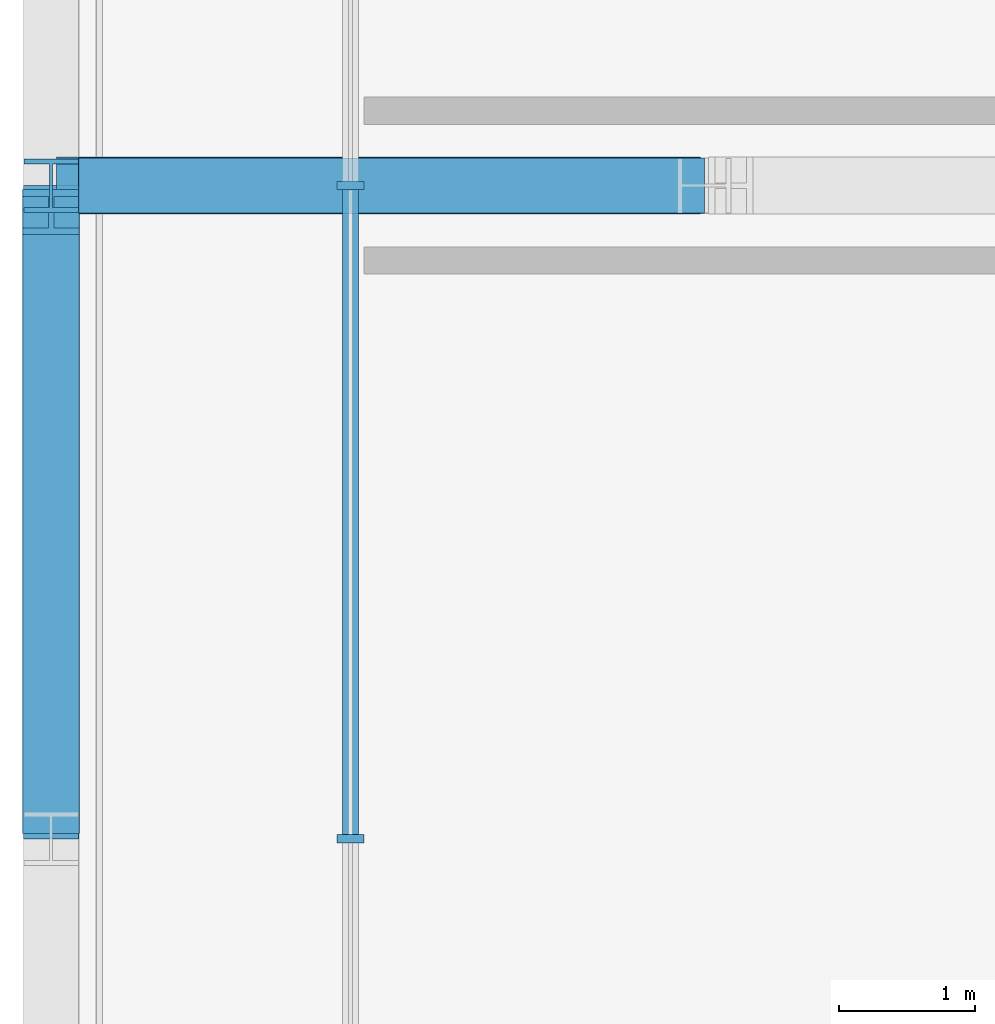
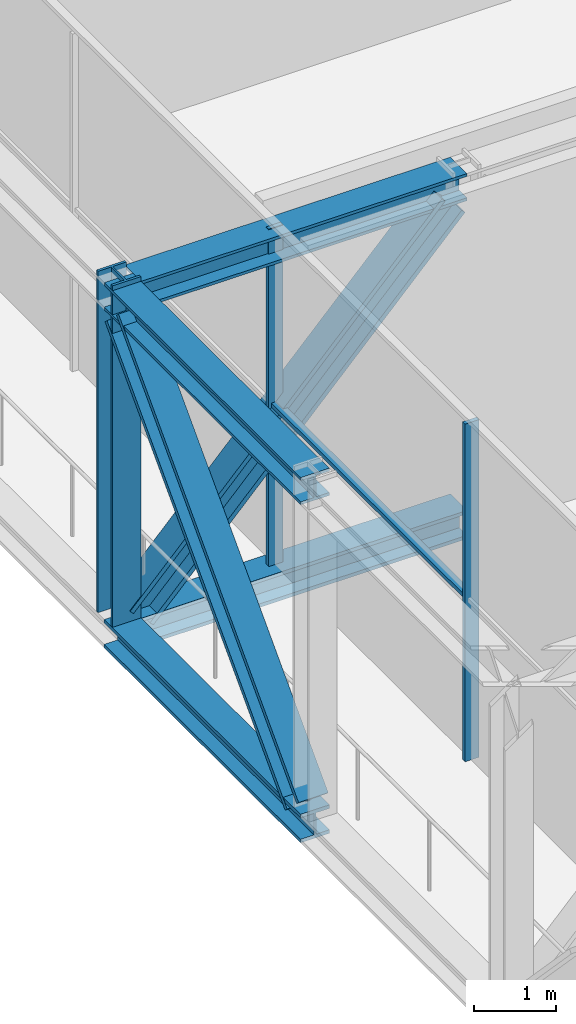
# One storey, part 4 of 26: 10 members, 1 element without a shape of its own.
"""IFC4 building model written with IfcOpenShell, lengths in metres."""

import ifcopenshell
import ifcopenshell.guid

model = None  # the IFC model being written
_history = None  # IfcOwnerHistory: only IFC2X3 demands one
_inside = {}  # id of a spatial element -> (the spatial element, [elements in it])
_under = {}  # id of a project, library or spatial element -> (it, [spatial elements below it])
_declared = {}  # id of a project -> (the project, [libraries it declares])
_typed = {}  # id of a type object -> (the type object, [elements of that type])
_made_of = {}  # id of a material, layer set ... -> (it, [elements and type objects made of it])


def new_model(schema):
    """Start an empty IFC model of exactly this schema.

    Asked for "IFC4X3", IfcOpenShell would pick the latest addendum, in which some entities
    have other attributes; the version numbers below select the first issue.
    IFC2X3 requires an IfcOwnerHistory on every rooted entity: one is made here for all.
    """
    global model, _history
    if schema == "IFC4X3":
        model = ifcopenshell.file(schema_version=(4, 3, 0, 0))
    else:
        model = ifcopenshell.file(schema=schema)
    _inside.clear()
    _under.clear()
    _declared.clear()
    _typed.clear()
    _made_of.clear()
    _history = None
    if model.schema == "IFC2X3":
        org = make("IfcOrganization", Name="unknown")
        user = make(
            "IfcPersonAndOrganization",
            ThePerson=make("IfcPerson", FamilyName="unknown"),
            TheOrganization=org,
        )
        app = make(
            "IfcApplication",
            ApplicationDeveloper=org,
            Version="unknown",
            ApplicationFullName="unknown",
            ApplicationIdentifier="unknown",
        )
        _history = make(
            "IfcOwnerHistory",
            OwningUser=user,
            OwningApplication=app,
            ChangeAction="ADDED",
            CreationDate=0,
        )
    return model


def make(cls, **values):
    """One entity of the class cls with the attributes given. An attribute that is None is left unset."""
    return model.create_entity(
        cls, **{name: value for name, value in values.items() if value is not None}
    )


def rooted(cls, **values):
    """An entity with a GlobalId (a new one), such as an element, a storey or a relation."""
    return make(cls, GlobalId=ifcopenshell.guid.new(), OwnerHistory=_history, **values)


def si_unit(unit_type, name, prefix=None):
    """IfcSIUnit, for example si_unit("LENGTHUNIT", "METRE", prefix="MILLI")."""
    return make("IfcSIUnit", UnitType=unit_type, Prefix=prefix, Name=name)


def assignment(units):
    """IfcUnitAssignment: the units of a project."""
    return None if units is None else make("IfcUnitAssignment", Units=units)


def point(xyz):
    """IfcCartesianPoint."""
    return None if xyz is None else make("IfcCartesianPoint", Coordinates=xyz)


def direction(xyz):
    """IfcDirection."""
    return None if xyz is None else make("IfcDirection", DirectionRatios=xyz)


def frame(location, z_axis=None, x_axis=None):
    """IfcAxis2Placement3D, a coordinate frame: its origin and axes. An axis left out is left unset."""
    return make(
        "IfcAxis2Placement3D",
        Location=point(location),
        Axis=direction(z_axis),
        RefDirection=direction(x_axis),
    )


def frame_2d(location, x_axis=None):
    """IfcAxis2Placement2D, a coordinate frame in the plane: its origin and x axis."""
    return make(
        "IfcAxis2Placement2D", Location=point(location), RefDirection=direction(x_axis)
    )


def origin():
    """The frame at (0, 0, 0) with its axes left unset."""
    return frame((0.0, 0.0, 0.0))


def origin_2d():
    """The frame at (0, 0) in the plane with its x axis left unset."""
    return frame_2d((0.0, 0.0))


def place(relative_to, where):
    """IfcLocalPlacement: puts the frame where relative to a parent placement (None: the world)."""
    return make(
        "IfcLocalPlacement", PlacementRelTo=relative_to, RelativePlacement=where
    )


def context(
    kind, dimensions, precision=None, world=None, true_north=None, identifier=None
):
    """IfcGeometricRepresentationContext, for example the 3D "Model" context."""
    return make(
        "IfcGeometricRepresentationContext",
        ContextIdentifier=identifier,
        ContextType=kind,
        CoordinateSpaceDimension=dimensions,
        Precision=precision,
        WorldCoordinateSystem=world,
        TrueNorth=true_north,
    )


def subcontext(parent, identifier, kind, view, scale=None):
    """IfcGeometricRepresentationSubContext, for example "Body" below "Model"."""
    return make(
        "IfcGeometricRepresentationSubContext",
        ContextIdentifier=identifier,
        ContextType=kind,
        ParentContext=parent,
        TargetScale=scale,
        TargetView=view,
    )


def project(units=None, contexts=None):
    """IfcProject with its units and contexts."""
    return rooted(
        "IfcProject",
        Name="project",
        RepresentationContexts=contexts,
        UnitsInContext=assignment(units),
    )


def spatial(cls, under=None, at=None, **own):
    """A site, building, storey or space (cls), placed at a placement, below another one or the project."""
    s = rooted(cls, ObjectPlacement=at, **own)
    if under is not None:
        _under.setdefault(under.id(), (under, []))[1].append(s)
    return s


def profile(cls, at=None, kind="AREA", **sizes):
    """A parametric profile (cls). Its sizes go by their IFC names, for example OverallWidth=200.0."""
    return make(cls, ProfileType=kind, Position=at, **sizes)


def rectangle(**sizes):
    """IfcRectangleProfileDef."""
    return profile("IfcRectangleProfileDef", **sizes)


def i_section(**sizes):
    """IfcIShapeProfileDef."""
    return profile("IfcIShapeProfileDef", **sizes)


def extrude(swept, where, along, depth):
    """IfcExtrudedAreaSolid: the profile swept, set in the frame where, extruded along a direction by depth."""
    return make(
        "IfcExtrudedAreaSolid",
        SweptArea=swept,
        Position=where,
        ExtrudedDirection=direction(along),
        Depth=depth,
    )


def shape(context_of_items, identifier, shape_type, items):
    """IfcShapeRepresentation: the items that make up one representation, for example the "Body"."""
    return make(
        "IfcShapeRepresentation",
        ContextOfItems=context_of_items,
        RepresentationIdentifier=identifier,
        RepresentationType=shape_type,
        Items=items,
    )


def material(Name=None, Category=None):
    """IfcMaterial."""
    return make("IfcMaterial", Name=Name, Category=Category)


def layer(
    of_material, thickness, ventilated=None, Name=None, Category=None, Priority=None
):
    """IfcMaterialLayer: one layer of a wall or slab, of a material (None: an air gap)."""
    return make(
        "IfcMaterialLayer",
        Material=of_material,
        LayerThickness=thickness,
        IsVentilated=ventilated,
        Name=Name,
        Category=Category,
        Priority=Priority,
    )


def layer_set(layers, Name=None):
    """IfcMaterialLayerSet."""
    return make("IfcMaterialLayerSet", MaterialLayers=layers, LayerSetName=Name)


def material_profile(
    of_material, cross_section, Name=None, Category=None, Priority=None
):
    """IfcMaterialProfile: a cross section and its material."""
    return make(
        "IfcMaterialProfile",
        Name=Name,
        Material=of_material,
        Profile=cross_section,
        Priority=Priority,
        Category=Category,
    )


def profile_set(profiles, Name=None, composite=None):
    """IfcMaterialProfileSet."""
    return make(
        "IfcMaterialProfileSet",
        Name=Name,
        MaterialProfiles=profiles,
        CompositeProfile=composite,
    )


def made_of(thing, what):
    """Note that an element or type object is made of a material, layer set ...; save() writes the relation."""
    if what is not None:
        _made_of.setdefault(what.id(), (what, []))[1].append(thing)
    return thing


def type_object(cls, material=None, **own):
    """A type object (cls), such as IfcWallType, which elements share."""
    return made_of(rooted(cls, **own), material)


def element(
    cls,
    number,
    at=None,
    inside=None,
    cuts=None,
    type_object=None,
    material=None,
    context=None,
    identifier="Body",
    shape_type=None,
    held_by="IfcProductDefinitionShape",
    body=None,
    shapes=None,
    **own,
):
    """One element of the class cls, such as IfcWall. Its Tag is "e" and its number.

    at: its placement. inside: the storey or other place that contains it. cuts: it is an
    opening in that element (IfcRelVoidsElement). A single representation is given by context,
    identifier, shape_type and body (its items); several are given by shapes. held_by: the class
    of the entity that holds the representations. save() writes the other relations.
    """
    e = rooted(cls, Tag="e%d" % number, ObjectPlacement=at, **own)
    if body is not None:
        shapes = [shape(context, identifier, shape_type, body)]
    if shapes is not None:
        e.Representation = make(held_by, Representations=shapes)
    if inside is not None:
        _inside.setdefault(inside.id(), (inside, []))[1].append(e)
    if cuts is not None:
        rooted(
            "IfcRelVoidsElement", RelatingBuildingElement=cuts, RelatedOpeningElement=e
        )
    if type_object is not None:
        _typed.setdefault(type_object.id(), (type_object, []))[1].append(e)
    return made_of(e, material)


def aggregate(whole, parts):
    """IfcRelAggregates: a whole, such as a stair, and the parts it consists of."""
    return rooted("IfcRelAggregates", RelatingObject=whole, RelatedObjects=parts)


def save(model, path):
    """Write the relations noted so far, then the file.

    IfcRelAggregates (storeys below a building ...), IfcRelContainedInSpatialStructure (elements
    in a storey), IfcRelDefinesByType, IfcRelAssociatesMaterial and IfcRelDeclares: one each for
    every whole, place, type object, material and project.
    """
    for whole, parts in _under.values():
        aggregate(whole, parts)
    for where, things in _inside.values():
        rooted(
            "IfcRelContainedInSpatialStructure",
            RelatedElements=things,
            RelatingStructure=where,
        )
    for kind, things in _typed.values():
        rooted("IfcRelDefinesByType", RelatedObjects=things, RelatingType=kind)
    for what, things in _made_of.values():
        rooted("IfcRelAssociatesMaterial", RelatedObjects=things, RelatingMaterial=what)
    for by, libraries in _declared.values():
        rooted("IfcRelDeclares", RelatingContext=by, RelatedDefinitions=libraries)
    model.write(path)


model = new_model("IFC4")

# Units and contexts
model_context = context("Model", 3, precision=1e-05, world=origin(), true_north=direction((0.0, 1.0)))
body_context = subcontext(model_context, "Body", "Model", "MODEL_VIEW")
ifc_project = project(units=[si_unit("LENGTHUNIT", "METRE"), si_unit("AREAUNIT", "SQUARE_METRE"), si_unit("VOLUMEUNIT", "CUBIC_METRE"), si_unit("PLANEANGLEUNIT", "RADIAN"), si_unit("MASSUNIT", "GRAM", prefix="KILO")], contexts=[model_context])

# Site, building, storey
site_placement = place(None, origin())
site = spatial("IfcSite", under=ifc_project, at=site_placement, CompositionType="ELEMENT")
building_placement = place(site_placement, origin())
building = spatial("IfcBuilding", under=site, at=building_placement, Name="Madar Terraces", CompositionType="ELEMENT")
storey_placement = place(building_placement, frame((0.0, 0.0, 233.300048828125)))
storey = spatial("IfcBuildingStorey", under=building, at=storey_placement, Name="L61", CompositionType="ELEMENT", Elevation=233.300048828125)

# Members
ifc_material_1 = material(Name="Steel ASTM A992 Grade 50", Category="steel")
ifc_material_profile_1 = material_profile(ifc_material_1, i_section(OverallWidth=0.408935546875, OverallDepth=0.424072265625, WebThickness=0.03271484375, FlangeThickness=0.052490234375, at=origin_2d()), Name="W14x283")
ifc_profile_set_1 = profile_set([ifc_material_profile_1], Name="Steel ASTM A992 Grade 50")
member_type_1 = type_object("IfcMemberType", Name="BC8 W14x283", PredefinedType="CHORD", material=ifc_profile_set_1)
member_1_placement = place(storey_placement, frame((0.0, 28.800048828125, -0.2080078125), z_axis=(0.0, -1.0, 0.0), x_axis=(1.0, 0.0, 0.0)))
element("IfcMember", 1, at=member_1_placement, inside=storey, type_object=member_type_1, Name="Exoskeleton truss ring bottom chord BC8", PredefinedType="CHORD", context=body_context, shape_type="SweptSolid", body=[
    extrude(i_section(OverallWidth=0.408935546875, OverallDepth=0.424072265625, WebThickness=0.03271484375, FlangeThickness=0.052490234375, at=origin_2d()), origin(), (0.0, 0.0, 1.0), 4.800048828125),
])
member_2_placement = place(storey_placement, frame((0.20458984375, 28.800048828125, -0.2080078125), z_axis=(1.0, 0.0, 0.0), x_axis=(0.0, 1.0, 0.0)))
element("IfcMember", 2, at=member_2_placement, inside=storey, type_object=member_type_1, Name="Exoskeleton truss cross W28.8 bottom chord BC8", PredefinedType="CHORD", context=body_context, shape_type="SweptSolid", body=[
    extrude(i_section(OverallWidth=0.408935546875, OverallDepth=0.424072265625, WebThickness=0.03271484375, FlangeThickness=0.052490234375, at=origin_2d()), origin(), (0.0, 0.0, 1.0), 4.595458984375),
])

# Curtain wall, members
ifc_material_2 = material(Name="Glass, ceramic frit dark grey, with black aluminium frame", Category="aluminium")
ifc_layer = layer(ifc_material_2, 0.199951171875)
ifc_layer_set = layer_set([ifc_layer], Name="Facade curtain wall, tall glazing")
curtain_wall_type = type_object("IfcCurtainWallType", Name="Facade curtain wall, tall glazing", PredefinedType="NOTDEFINED", material=ifc_layer_set)
curtain_wall_placement = place(storey_placement, origin())
curtain_wall = element("IfcCurtainWall", 3, at=curtain_wall_placement, inside=storey, type_object=curtain_wall_type, Name="Outer skin curtain wall west bay 1", PredefinedType="NOTDEFINED")
ifc_material_3 = material(Name="Aluminium, black anodised", Category="aluminium")
ifc_material_profile_2 = material_profile(ifc_material_3, rectangle(XDim=0.199951171875, YDim=0.06005859375, at=origin_2d()), Name="Facade mullion 60x200")
ifc_profile_set_2 = profile_set([ifc_material_profile_2], Name="Aluminium, black anodised")
member_type_2 = type_object("IfcMemberType", Name="Facade mullion 60x200", PredefinedType="MULLION", material=ifc_profile_set_2)
member_3_placement = place(storey_placement, frame((2.199951171875, 28.800048828125, 0.0), z_axis=(0.0, 0.0, 1.0), x_axis=(1.0, 0.0, 0.0)))
member_3 = element("IfcMember", 4, at=member_3_placement, type_object=member_type_2, Name="Mullion 4", PredefinedType="MULLION", context=body_context, shape_type="SweptSolid", body=[
    extrude(rectangle(XDim=0.199951171875, YDim=0.06005859375, at=origin_2d()), origin(), (0.0, 0.0, 1.0), 5.0400390625),
])
member_4_placement = place(storey_placement, frame((2.199951171875, 24.0, 0.0), z_axis=(0.0, 0.0, 1.0), x_axis=(1.0, 0.0, 0.0)))
member_4 = element("IfcMember", 5, at=member_4_placement, type_object=member_type_2, Name="Mullion 5", PredefinedType="MULLION", context=body_context, shape_type="SweptSolid", body=[
    extrude(rectangle(XDim=0.199951171875, YDim=0.06005859375, at=origin_2d()), origin(), (0.0, 0.0, 1.0), 5.0400390625),
])
ifc_material_4 = material(Name="Aluminium, black anodised", Category="aluminium")
ifc_material_profile_3 = material_profile(ifc_material_4, rectangle(XDim=0.1201171875, YDim=0.06005859375, at=origin_2d()), Name="Facade transom 60x120")
ifc_profile_set_3 = profile_set([ifc_material_profile_3], Name="Aluminium, black anodised")
member_type_3 = type_object("IfcMemberType", Name="Facade transom 60x120", PredefinedType="USERDEFINED", material=ifc_profile_set_3)
member_5_placement = place(storey_placement, frame((2.199951171875, 28.77001953125, 2.39990234375), z_axis=(0.0, -1.0, 0.0), x_axis=(1.0, 0.0, 0.0)))
member_5 = element("IfcMember", 6, at=member_5_placement, type_object=member_type_3, Name="Transom 6", ObjectType="TRANSOM", PredefinedType="USERDEFINED", context=body_context, shape_type="SweptSolid", body=[
    extrude(rectangle(XDim=0.1201171875, YDim=0.06005859375, at=origin_2d()), origin(), (0.0, 0.0, 1.0), 4.739990234375),
])
aggregate(curtain_wall, [member_3, member_4, member_5])

# Members
ifc_material_5 = material(Name="Steel ASTM A992 Grade 50", Category="steel")
ifc_material_profile_4 = material_profile(ifc_material_5, i_section(OverallWidth=0.40380859375, OverallDepth=0.406494140625, WebThickness=0.027099609375, FlangeThickness=0.043701171875, at=origin_2d()), Name="W14x233")
ifc_profile_set_4 = profile_set([ifc_material_profile_4], Name="Steel ASTM A992 Grade 50")
member_type_4 = type_object("IfcMemberType", Name="TC8 W14x233", PredefinedType="CHORD", material=ifc_profile_set_4)
member_6_placement = place(storey_placement, frame((0.0, 28.800048828125, 4.82666015625), z_axis=(0.0, -1.0, 0.0), x_axis=(1.0, 0.0, 0.0)))
element("IfcMember", 7, at=member_6_placement, inside=storey, type_object=member_type_4, Name="Exoskeleton truss ring top chord TC8", PredefinedType="CHORD", context=body_context, shape_type="SweptSolid", body=[
    extrude(i_section(OverallWidth=0.40380859375, OverallDepth=0.406494140625, WebThickness=0.027099609375, FlangeThickness=0.043701171875, at=origin_2d()), origin(), (0.0, 0.0, 1.0), 4.800048828125),
])
member_7_placement = place(storey_placement, frame((0.201904296875, 28.800048828125, 4.82666015625), z_axis=(1.0, 0.0, 0.0), x_axis=(0.0, 1.0, 0.0)))
element("IfcMember", 8, at=member_7_placement, inside=storey, type_object=member_type_4, Name="Exoskeleton truss cross W28.8 top chord TC8", PredefinedType="CHORD", context=body_context, shape_type="SweptSolid", body=[
    extrude(i_section(OverallWidth=0.40380859375, OverallDepth=0.406494140625, WebThickness=0.027099609375, FlangeThickness=0.043701171875, at=origin_2d()), origin(), (0.0, 0.0, 1.0), 4.59814453125),
])
ifc_material_6 = material(Name="Steel ASTM A992 Grade 50", Category="steel")
ifc_material_profile_5 = material_profile(ifc_material_6, i_section(OverallWidth=0.419189453125, OverallDepth=0.45458984375, WebThickness=0.042236328125, FlangeThickness=0.067626953125, at=origin_2d()), Name="W14x370")
ifc_profile_set_5 = profile_set([ifc_material_profile_5], Name="Steel ASTM A992 Grade 50")
member_type_5 = type_object("IfcMemberType", Name="TD8 W14x370", PredefinedType="BRACE", material=ifc_profile_set_5)
member_8_placement = place(storey_placement, frame((0.0, 28.606201171875, 4.62353515625), z_axis=(0.0, -0.690036191516, -0.723774864442), x_axis=(1.0, 0.0, 0.0)))
element("IfcMember", 9, at=member_8_placement, inside=storey, type_object=member_type_5, Name="Exoskeleton truss ring diagonal TD8", PredefinedType="BRACE", context=body_context, shape_type="SweptSolid", body=[
    extrude(i_section(OverallWidth=0.419189453125, OverallDepth=0.45458984375, WebThickness=0.042236328125, FlangeThickness=0.067626953125, at=origin_2d()), origin(), (0.0, 0.0, 1.0), 6.38232421875),
])
member_9_placement = place(storey_placement, frame((0.20458984375, 28.800048828125, 0.006591796875), z_axis=(0.690026845457, 0.0, 0.723783774721), x_axis=(0.0, 1.0, 0.0)))
element("IfcMember", 10, at=member_9_placement, inside=storey, type_object=member_type_5, Name="Exoskeleton truss cross W28.8 diagonal TD8", PredefinedType="BRACE", context=body_context, shape_type="SweptSolid", body=[
    extrude(i_section(OverallWidth=0.419189453125, OverallDepth=0.45458984375, WebThickness=0.042236328125, FlangeThickness=0.067626953125, at=origin_2d()), origin(), (0.0, 0.0, 1.0), 6.37890625),
])
ifc_material_7 = material(Name="Steel ASTM A992 Grade 50", Category="steel")
ifc_material_profile_6 = material_profile(ifc_material_7, i_section(OverallWidth=0.398681640625, OverallDepth=0.393798828125, WebThickness=0.022705078125, FlangeThickness=0.03662109375, at=origin_2d()), Name="W14x193")
ifc_profile_set_6 = profile_set([ifc_material_profile_6], Name="Steel ASTM A992 Grade 50")
member_type_6 = type_object("IfcMemberType", Name="TV8 W14x193", PredefinedType="POST", material=ifc_profile_set_6)
member_10_placement = place(storey_placement, frame((0.0, 28.800048828125, 0.004150390625), z_axis=(0.0, 0.0, 1.0), x_axis=(1.0, 0.0, 0.0)))
element("IfcMember", 11, at=member_10_placement, inside=storey, type_object=member_type_6, Name="Exoskeleton truss ring post TV8", PredefinedType="POST", context=body_context, shape_type="SweptSolid", body=[
    extrude(i_section(OverallWidth=0.398681640625, OverallDepth=0.393798828125, WebThickness=0.022705078125, FlangeThickness=0.03662109375, at=origin_2d()), origin(), (0.0, 0.0, 1.0), 5.095703125),
])

save(model, "model.ifc")
